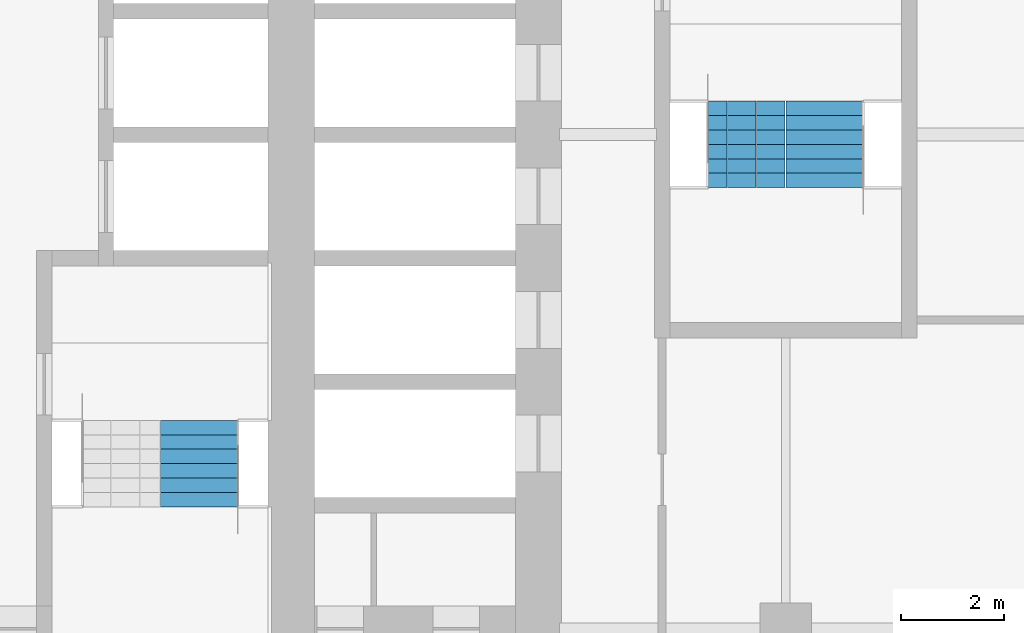
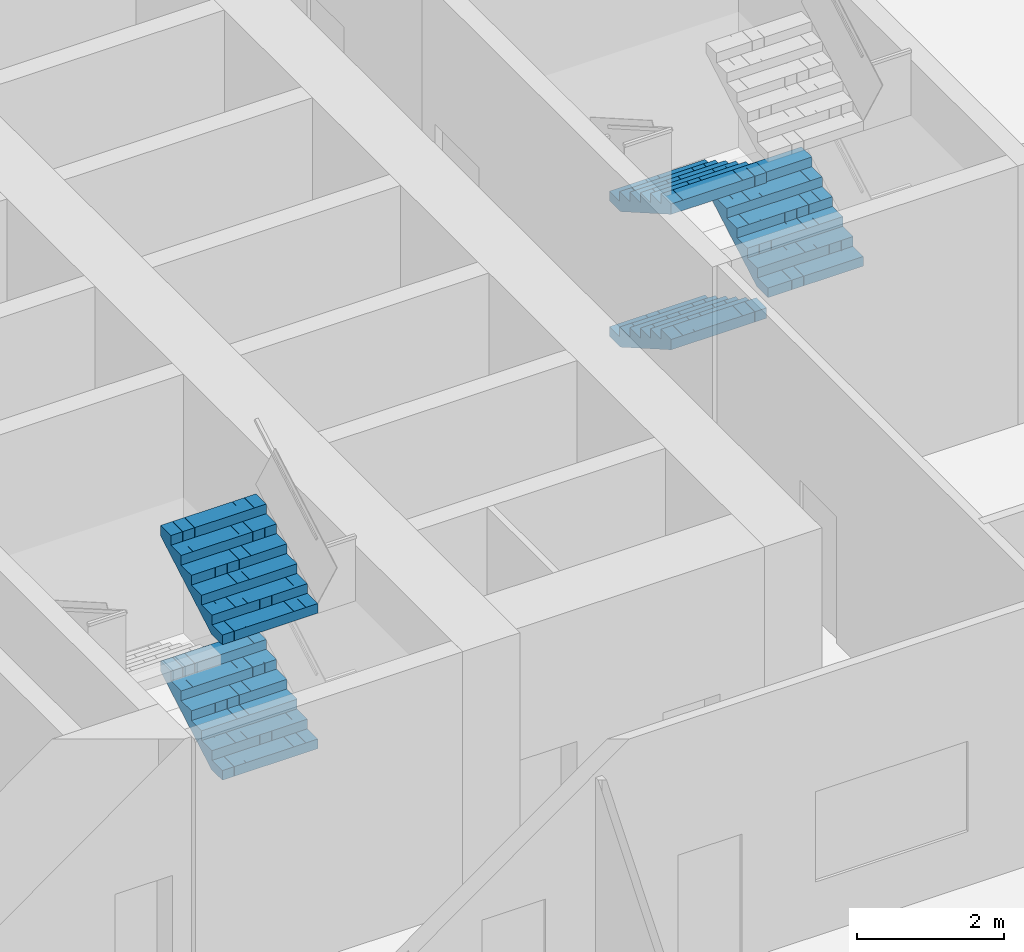
# One storey, part 19 of 22: 5 stair flights, 2 elements without a shape of their own.
"""IFC4 building model written with IfcOpenShell, lengths in metres."""

from ifc_helpers import new_model, si_unit, direction, frame, origin, place, context, subcontext, project, spatial, polyline, outline, extrude, material, type_object, element, aggregate, save


model = new_model("IFC4")

# Units and contexts
model_context = context("Model", 3, precision=1e-05, world=origin(), true_north=direction((0.0, 1.0)))
body_context = subcontext(model_context, "Body", "Model", "MODEL_VIEW")
ifc_project = project(units=[si_unit("LENGTHUNIT", "METRE"), si_unit("AREAUNIT", "SQUARE_METRE"), si_unit("VOLUMEUNIT", "CUBIC_METRE"), si_unit("PLANEANGLEUNIT", "RADIAN"), si_unit("MASSUNIT", "GRAM", prefix="KILO")], contexts=[model_context])

# Site, building, storey
site_placement = place(None, origin())
site = spatial("IfcSite", under=ifc_project, at=site_placement, CompositionType="ELEMENT")
building_placement = place(site_placement, origin())
building = spatial("IfcBuilding", under=site, at=building_placement, Name="Kolab Exchange Tower", CompositionType="ELEMENT")
storey_placement = place(building_placement, frame((0.0, 0.0, 82.39990234375)))
storey = spatial("IfcBuildingStorey", under=building, at=storey_placement, Name="L15", CompositionType="ELEMENT", Elevation=82.39990234375)

# Stair, stair flights
ifc_material = material(Name="Concrete C50/60", Category="concrete")
stair_type_1 = type_object("IfcStairType", Name="STAIR ST2 RISER 160.7", PredefinedType="DOUBLE_RETURN_STAIR", material=ifc_material)
stair_1_placement = place(storey_placement, origin())
stair_1 = element("IfcStair", 1, at=stair_1_placement, inside=storey, type_object=stair_type_1, Name="Stair 2", PredefinedType="DOUBLE_RETURN_STAIR")
stair_flight_type = type_object("IfcStairFlightType", Name="STAIR FLIGHT 1500 RISER 160.7", PredefinedType="STRAIGHT", material=ifc_material)
stair_flight_1_placement = place(storey_placement, frame((7.81005859375, -7.22998046875, 1.125), z_axis=(0.0, 0.0, 1.0), x_axis=(0.0, 1.0, 0.0)))
stair_flight_1 = element("IfcStairFlight", 2, at=stair_flight_1_placement, type_object=stair_flight_type, Name="ST2 flight 2", NumberOfRisers=7, NumberOfTreads=6, PredefinedType="STRAIGHT", RiserHeight=0.160714286, TreadLength=0.28, context=body_context, shape_type="SweptSolid", body=[
    extrude(outline(polyline([(0.0, 0.0), (0.0, 0.16064453125), (0.280029296875, 0.16064453125), (0.280029296875, 0.321533203125), (0.56005859375, 0.321533203125), (0.56005859375, 0.482177734375), (0.840087890625, 0.482177734375), (0.840087890625, 0.642822265625), (1.1201171875, 0.642822265625), (1.1201171875, 0.803466796875), (1.39990234375, 0.803466796875), (1.39990234375, 0.96435546875), (1.679931640625, 0.96435546875), (1.679931640625, 1.125), (1.679931640625, 0.79150390625), (0.301025390625, 0.0), (0.0, 0.0)])), frame((0.0, 0.75, 0.0), z_axis=(0.0, -1.0, 0.0), x_axis=(1.0, 0.0, 0.0)), (0.0, 0.0, 1.0), 0.185791015625),
    extrude(outline(polyline([(0.0, 0.0), (0.0, 0.16064453125), (0.280029296875, 0.16064453125), (0.280029296875, 0.321533203125), (0.56005859375, 0.321533203125), (0.56005859375, 0.482177734375), (0.840087890625, 0.482177734375), (0.840087890625, 0.642822265625), (1.1201171875, 0.642822265625), (1.1201171875, 0.803466796875), (1.39990234375, 0.803466796875), (1.39990234375, 0.96435546875), (1.679931640625, 0.96435546875), (1.679931640625, 1.125), (1.679931640625, 0.79150390625), (0.301025390625, 0.0), (0.0, 0.0)])), frame((0.0, 0.562255859375, 0.0), z_axis=(0.0, -1.0, 0.0), x_axis=(1.0, 0.0, 0.0)), (0.0, 0.0, 1.0), 0.185791015625),
    extrude(outline(polyline([(0.0, 0.0), (0.0, 0.16064453125), (0.280029296875, 0.16064453125), (0.280029296875, 0.321533203125), (0.56005859375, 0.321533203125), (0.56005859375, 0.482177734375), (0.840087890625, 0.482177734375), (0.840087890625, 0.642822265625), (1.1201171875, 0.642822265625), (1.1201171875, 0.803466796875), (1.39990234375, 0.803466796875), (1.39990234375, 0.96435546875), (1.679931640625, 0.96435546875), (1.679931640625, 1.125), (1.679931640625, 0.79150390625), (0.301025390625, 0.0), (0.0, 0.0)])), frame((0.0, 0.37451171875, 0.0), z_axis=(0.0, -1.0, 0.0), x_axis=(1.0, 0.0, 0.0)), (0.0, 0.0, 1.0), 0.185791015625),
    extrude(outline(polyline([(0.0, 0.0), (0.0, 0.16064453125), (0.280029296875, 0.16064453125), (0.280029296875, 0.321533203125), (0.56005859375, 0.321533203125), (0.56005859375, 0.482177734375), (0.840087890625, 0.482177734375), (0.840087890625, 0.642822265625), (1.1201171875, 0.642822265625), (1.1201171875, 0.803466796875), (1.39990234375, 0.803466796875), (1.39990234375, 0.96435546875), (1.679931640625, 0.96435546875), (1.679931640625, 1.125), (1.679931640625, 0.79150390625), (0.301025390625, 0.0), (0.0, 0.0)])), frame((0.0, 0.186767578125, 0.0), z_axis=(0.0, -1.0, 0.0), x_axis=(1.0, 0.0, 0.0)), (0.0, 0.0, 1.0), 0.185791015625),
    extrude(outline(polyline([(0.0, 0.0), (0.0, 0.16064453125), (0.280029296875, 0.16064453125), (0.280029296875, 0.321533203125), (0.56005859375, 0.321533203125), (0.56005859375, 0.482177734375), (0.840087890625, 0.482177734375), (0.840087890625, 0.642822265625), (1.1201171875, 0.642822265625), (1.1201171875, 0.803466796875), (1.39990234375, 0.803466796875), (1.39990234375, 0.96435546875), (1.679931640625, 0.96435546875), (1.679931640625, 1.125), (1.679931640625, 0.79150390625), (0.301025390625, 0.0), (0.0, 0.0)])), frame((0.0, -0.0009765625, 0.0), z_axis=(0.0, -1.0, 0.0), x_axis=(1.0, 0.0, 0.0)), (0.0, 0.0, 1.0), 0.185791015625),
    extrude(outline(polyline([(0.0, 0.0), (0.0, 0.16064453125), (0.280029296875, 0.16064453125), (0.280029296875, 0.321533203125), (0.56005859375, 0.321533203125), (0.56005859375, 0.482177734375), (0.840087890625, 0.482177734375), (0.840087890625, 0.642822265625), (1.1201171875, 0.642822265625), (1.1201171875, 0.803466796875), (1.39990234375, 0.803466796875), (1.39990234375, 0.96435546875), (1.679931640625, 0.96435546875), (1.679931640625, 1.125), (1.679931640625, 0.79150390625), (0.301025390625, 0.0), (0.0, 0.0)])), frame((0.0, -0.188720703125, 0.0), z_axis=(0.0, -1.0, 0.0), x_axis=(1.0, 0.0, 0.0)), (0.0, 0.0, 1.0), 0.185791015625),
    extrude(outline(polyline([(0.0, 0.0), (0.0, 0.16064453125), (0.280029296875, 0.16064453125), (0.280029296875, 0.321533203125), (0.56005859375, 0.321533203125), (0.56005859375, 0.482177734375), (0.840087890625, 0.482177734375), (0.840087890625, 0.642822265625), (1.1201171875, 0.642822265625), (1.1201171875, 0.803466796875), (1.39990234375, 0.803466796875), (1.39990234375, 0.96435546875), (1.679931640625, 0.96435546875), (1.679931640625, 1.125), (1.679931640625, 0.79150390625), (0.301025390625, 0.0), (0.0, 0.0)])), frame((0.0, -0.37646484375, 0.0), z_axis=(0.0, -1.0, 0.0), x_axis=(1.0, 0.0, 0.0)), (0.0, 0.0, 1.0), 0.185791015625),
    extrude(outline(polyline([(0.0, 0.0), (0.0, 0.16064453125), (0.280029296875, 0.16064453125), (0.280029296875, 0.321533203125), (0.56005859375, 0.321533203125), (0.56005859375, 0.482177734375), (0.840087890625, 0.482177734375), (0.840087890625, 0.642822265625), (1.1201171875, 0.642822265625), (1.1201171875, 0.803466796875), (1.39990234375, 0.803466796875), (1.39990234375, 0.96435546875), (1.679931640625, 0.96435546875), (1.679931640625, 1.125), (1.679931640625, 0.79150390625), (0.301025390625, 0.0), (0.0, 0.0)])), frame((0.0, -0.564208984375, 0.0), z_axis=(0.0, -1.0, 0.0), x_axis=(1.0, 0.0, 0.0)), (0.0, 0.0, 1.0), 0.185791015625),
])
stair_flight_2_placement = place(storey_placement, frame((7.81005859375, -7.22998046875, 3.375), z_axis=(0.0, 0.0, 1.0), x_axis=(0.0, 1.0, 0.0)))
stair_flight_2 = element("IfcStairFlight", 3, at=stair_flight_2_placement, type_object=stair_flight_type, Name="ST2 flight 4", NumberOfRisers=7, NumberOfTreads=6, PredefinedType="STRAIGHT", RiserHeight=0.160714286, TreadLength=0.28, context=body_context, shape_type="SweptSolid", body=[
    extrude(outline(polyline([(0.0, 0.0), (0.0, 0.16064453125), (0.280029296875, 0.16064453125), (0.280029296875, 0.321533203125), (0.56005859375, 0.321533203125), (0.56005859375, 0.482177734375), (0.840087890625, 0.482177734375), (0.840087890625, 0.642822265625), (1.1201171875, 0.642822265625), (1.1201171875, 0.803466796875), (1.39990234375, 0.803466796875), (1.39990234375, 0.96435546875), (1.679931640625, 0.96435546875), (1.679931640625, 1.125), (1.679931640625, 0.79150390625), (0.301025390625, 0.0), (0.0, 0.0)])), frame((0.0, 0.75, 0.0), z_axis=(0.0, -1.0, 0.0), x_axis=(1.0, 0.0, 0.0)), (0.0, 0.0, 1.0), 0.185791015625),
    extrude(outline(polyline([(0.0, 0.0), (0.0, 0.16064453125), (0.280029296875, 0.16064453125), (0.280029296875, 0.321533203125), (0.56005859375, 0.321533203125), (0.56005859375, 0.482177734375), (0.840087890625, 0.482177734375), (0.840087890625, 0.642822265625), (1.1201171875, 0.642822265625), (1.1201171875, 0.803466796875), (1.39990234375, 0.803466796875), (1.39990234375, 0.96435546875), (1.679931640625, 0.96435546875), (1.679931640625, 1.125), (1.679931640625, 0.79150390625), (0.301025390625, 0.0), (0.0, 0.0)])), frame((0.0, 0.562255859375, 0.0), z_axis=(0.0, -1.0, 0.0), x_axis=(1.0, 0.0, 0.0)), (0.0, 0.0, 1.0), 0.185791015625),
    extrude(outline(polyline([(0.0, 0.0), (0.0, 0.16064453125), (0.280029296875, 0.16064453125), (0.280029296875, 0.321533203125), (0.56005859375, 0.321533203125), (0.56005859375, 0.482177734375), (0.840087890625, 0.482177734375), (0.840087890625, 0.642822265625), (1.1201171875, 0.642822265625), (1.1201171875, 0.803466796875), (1.39990234375, 0.803466796875), (1.39990234375, 0.96435546875), (1.679931640625, 0.96435546875), (1.679931640625, 1.125), (1.679931640625, 0.79150390625), (0.301025390625, 0.0), (0.0, 0.0)])), frame((0.0, 0.37451171875, 0.0), z_axis=(0.0, -1.0, 0.0), x_axis=(1.0, 0.0, 0.0)), (0.0, 0.0, 1.0), 0.185791015625),
    extrude(outline(polyline([(0.0, 0.0), (0.0, 0.16064453125), (0.280029296875, 0.16064453125), (0.280029296875, 0.321533203125), (0.56005859375, 0.321533203125), (0.56005859375, 0.482177734375), (0.840087890625, 0.482177734375), (0.840087890625, 0.642822265625), (1.1201171875, 0.642822265625), (1.1201171875, 0.803466796875), (1.39990234375, 0.803466796875), (1.39990234375, 0.96435546875), (1.679931640625, 0.96435546875), (1.679931640625, 1.125), (1.679931640625, 0.79150390625), (0.301025390625, 0.0), (0.0, 0.0)])), frame((0.0, 0.186767578125, 0.0), z_axis=(0.0, -1.0, 0.0), x_axis=(1.0, 0.0, 0.0)), (0.0, 0.0, 1.0), 0.185791015625),
    extrude(outline(polyline([(0.0, 0.0), (0.0, 0.16064453125), (0.280029296875, 0.16064453125), (0.280029296875, 0.321533203125), (0.56005859375, 0.321533203125), (0.56005859375, 0.482177734375), (0.840087890625, 0.482177734375), (0.840087890625, 0.642822265625), (1.1201171875, 0.642822265625), (1.1201171875, 0.803466796875), (1.39990234375, 0.803466796875), (1.39990234375, 0.96435546875), (1.679931640625, 0.96435546875), (1.679931640625, 1.125), (1.679931640625, 0.79150390625), (0.301025390625, 0.0), (0.0, 0.0)])), frame((0.0, -0.0009765625, 0.0), z_axis=(0.0, -1.0, 0.0), x_axis=(1.0, 0.0, 0.0)), (0.0, 0.0, 1.0), 0.185791015625),
    extrude(outline(polyline([(0.0, 0.0), (0.0, 0.16064453125), (0.280029296875, 0.16064453125), (0.280029296875, 0.321533203125), (0.56005859375, 0.321533203125), (0.56005859375, 0.482177734375), (0.840087890625, 0.482177734375), (0.840087890625, 0.642822265625), (1.1201171875, 0.642822265625), (1.1201171875, 0.803466796875), (1.39990234375, 0.803466796875), (1.39990234375, 0.96435546875), (1.679931640625, 0.96435546875), (1.679931640625, 1.125), (1.679931640625, 0.79150390625), (0.301025390625, 0.0), (0.0, 0.0)])), frame((0.0, -0.188720703125, 0.0), z_axis=(0.0, -1.0, 0.0), x_axis=(1.0, 0.0, 0.0)), (0.0, 0.0, 1.0), 0.185791015625),
    extrude(outline(polyline([(0.0, 0.0), (0.0, 0.16064453125), (0.280029296875, 0.16064453125), (0.280029296875, 0.321533203125), (0.56005859375, 0.321533203125), (0.56005859375, 0.482177734375), (0.840087890625, 0.482177734375), (0.840087890625, 0.642822265625), (1.1201171875, 0.642822265625), (1.1201171875, 0.803466796875), (1.39990234375, 0.803466796875), (1.39990234375, 0.96435546875), (1.679931640625, 0.96435546875), (1.679931640625, 1.125), (1.679931640625, 0.79150390625), (0.301025390625, 0.0), (0.0, 0.0)])), frame((0.0, -0.37646484375, 0.0), z_axis=(0.0, -1.0, 0.0), x_axis=(1.0, 0.0, 0.0)), (0.0, 0.0, 1.0), 0.185791015625),
    extrude(outline(polyline([(0.0, 0.0), (0.0, 0.16064453125), (0.280029296875, 0.16064453125), (0.280029296875, 0.321533203125), (0.56005859375, 0.321533203125), (0.56005859375, 0.482177734375), (0.840087890625, 0.482177734375), (0.840087890625, 0.642822265625), (1.1201171875, 0.642822265625), (1.1201171875, 0.803466796875), (1.39990234375, 0.803466796875), (1.39990234375, 0.96435546875), (1.679931640625, 0.96435546875), (1.679931640625, 1.125), (1.679931640625, 0.79150390625), (0.301025390625, 0.0), (0.0, 0.0)])), frame((0.0, -0.564208984375, 0.0), z_axis=(0.0, -1.0, 0.0), x_axis=(1.0, 0.0, 0.0)), (0.0, 0.0, 1.0), 0.185791015625),
])
aggregate(stair_1, [stair_flight_1, stair_flight_2])

stair_type_2 = type_object("IfcStairType", Name="STAIR ST4 RISER 160.7", PredefinedType="DOUBLE_RETURN_STAIR", material=ifc_material)
stair_2_placement = place(storey_placement, origin())
stair_2 = element("IfcStair", 4, at=stair_2_placement, inside=storey, type_object=stair_type_2, Name="Stair 4", PredefinedType="DOUBLE_RETURN_STAIR")
stair_flight_3_placement = place(storey_placement, frame((18.43994140625, 0.64990234375, 0.0), z_axis=(0.0, 0.0, 1.0), x_axis=(0.0, -1.0, 0.0)))
stair_flight_3 = element("IfcStairFlight", 5, at=stair_flight_3_placement, type_object=stair_flight_type, Name="ST4 flight 1", NumberOfRisers=7, NumberOfTreads=6, PredefinedType="STRAIGHT", RiserHeight=0.160714286, TreadLength=0.28, context=body_context, shape_type="SweptSolid", body=[
    extrude(outline(polyline([(0.0, 0.0), (0.0, 0.16064453125), (0.280029296875, 0.16064453125), (0.280029296875, 0.321533203125), (0.56005859375, 0.321533203125), (0.56005859375, 0.482177734375), (0.840087890625, 0.482177734375), (0.840087890625, 0.642822265625), (1.1201171875, 0.642822265625), (1.1201171875, 0.803466796875), (1.39990234375, 0.803466796875), (1.39990234375, 0.96435546875), (1.679931640625, 0.96435546875), (1.679931640625, 1.125), (1.679931640625, 0.79150390625), (0.301025390625, 0.0), (0.0, 0.0)])), frame((0.0, 0.75, 0.0), z_axis=(0.0, -1.0, 0.0), x_axis=(1.0, 0.0, 0.0)), (0.0, 0.0, 1.0), 0.185791015625),
    extrude(outline(polyline([(0.0, 0.0), (0.0, 0.16064453125), (0.280029296875, 0.16064453125), (0.280029296875, 0.321533203125), (0.56005859375, 0.321533203125), (0.56005859375, 0.482177734375), (0.840087890625, 0.482177734375), (0.840087890625, 0.642822265625), (1.1201171875, 0.642822265625), (1.1201171875, 0.803466796875), (1.39990234375, 0.803466796875), (1.39990234375, 0.96435546875), (1.679931640625, 0.96435546875), (1.679931640625, 1.125), (1.679931640625, 0.79150390625), (0.301025390625, 0.0), (0.0, 0.0)])), frame((0.0, 0.562255859375, 0.0), z_axis=(0.0, -1.0, 0.0), x_axis=(1.0, 0.0, 0.0)), (0.0, 0.0, 1.0), 0.185791015625),
    extrude(outline(polyline([(0.0, 0.0), (0.0, 0.16064453125), (0.280029296875, 0.16064453125), (0.280029296875, 0.321533203125), (0.56005859375, 0.321533203125), (0.56005859375, 0.482177734375), (0.840087890625, 0.482177734375), (0.840087890625, 0.642822265625), (1.1201171875, 0.642822265625), (1.1201171875, 0.803466796875), (1.39990234375, 0.803466796875), (1.39990234375, 0.96435546875), (1.679931640625, 0.96435546875), (1.679931640625, 1.125), (1.679931640625, 0.79150390625), (0.301025390625, 0.0), (0.0, 0.0)])), frame((0.0, 0.37451171875, 0.0), z_axis=(0.0, -1.0, 0.0), x_axis=(1.0, 0.0, 0.0)), (0.0, 0.0, 1.0), 0.185791015625),
    extrude(outline(polyline([(0.0, 0.0), (0.0, 0.16064453125), (0.280029296875, 0.16064453125), (0.280029296875, 0.321533203125), (0.56005859375, 0.321533203125), (0.56005859375, 0.482177734375), (0.840087890625, 0.482177734375), (0.840087890625, 0.642822265625), (1.1201171875, 0.642822265625), (1.1201171875, 0.803466796875), (1.39990234375, 0.803466796875), (1.39990234375, 0.96435546875), (1.679931640625, 0.96435546875), (1.679931640625, 1.125), (1.679931640625, 0.79150390625), (0.301025390625, 0.0), (0.0, 0.0)])), frame((0.0, 0.186767578125, 0.0), z_axis=(0.0, -1.0, 0.0), x_axis=(1.0, 0.0, 0.0)), (0.0, 0.0, 1.0), 0.185791015625),
    extrude(outline(polyline([(0.0, 0.0), (0.0, 0.16064453125), (0.280029296875, 0.16064453125), (0.280029296875, 0.321533203125), (0.56005859375, 0.321533203125), (0.56005859375, 0.482177734375), (0.840087890625, 0.482177734375), (0.840087890625, 0.642822265625), (1.1201171875, 0.642822265625), (1.1201171875, 0.803466796875), (1.39990234375, 0.803466796875), (1.39990234375, 0.96435546875), (1.679931640625, 0.96435546875), (1.679931640625, 1.125), (1.679931640625, 0.79150390625), (0.301025390625, 0.0), (0.0, 0.0)])), frame((0.0, -0.0009765625, 0.0), z_axis=(0.0, -1.0, 0.0), x_axis=(1.0, 0.0, 0.0)), (0.0, 0.0, 1.0), 0.185791015625),
    extrude(outline(polyline([(0.0, 0.0), (0.0, 0.16064453125), (0.280029296875, 0.16064453125), (0.280029296875, 0.321533203125), (0.56005859375, 0.321533203125), (0.56005859375, 0.482177734375), (0.840087890625, 0.482177734375), (0.840087890625, 0.642822265625), (1.1201171875, 0.642822265625), (1.1201171875, 0.803466796875), (1.39990234375, 0.803466796875), (1.39990234375, 0.96435546875), (1.679931640625, 0.96435546875), (1.679931640625, 1.125), (1.679931640625, 0.79150390625), (0.301025390625, 0.0), (0.0, 0.0)])), frame((0.0, -0.188720703125, 0.0), z_axis=(0.0, -1.0, 0.0), x_axis=(1.0, 0.0, 0.0)), (0.0, 0.0, 1.0), 0.185791015625),
    extrude(outline(polyline([(0.0, 0.0), (0.0, 0.16064453125), (0.280029296875, 0.16064453125), (0.280029296875, 0.321533203125), (0.56005859375, 0.321533203125), (0.56005859375, 0.482177734375), (0.840087890625, 0.482177734375), (0.840087890625, 0.642822265625), (1.1201171875, 0.642822265625), (1.1201171875, 0.803466796875), (1.39990234375, 0.803466796875), (1.39990234375, 0.96435546875), (1.679931640625, 0.96435546875), (1.679931640625, 1.125), (1.679931640625, 0.79150390625), (0.301025390625, 0.0), (0.0, 0.0)])), frame((0.0, -0.37646484375, 0.0), z_axis=(0.0, -1.0, 0.0), x_axis=(1.0, 0.0, 0.0)), (0.0, 0.0, 1.0), 0.185791015625),
    extrude(outline(polyline([(0.0, 0.0), (0.0, 0.16064453125), (0.280029296875, 0.16064453125), (0.280029296875, 0.321533203125), (0.56005859375, 0.321533203125), (0.56005859375, 0.482177734375), (0.840087890625, 0.482177734375), (0.840087890625, 0.642822265625), (1.1201171875, 0.642822265625), (1.1201171875, 0.803466796875), (1.39990234375, 0.803466796875), (1.39990234375, 0.96435546875), (1.679931640625, 0.96435546875), (1.679931640625, 1.125), (1.679931640625, 0.79150390625), (0.301025390625, 0.0), (0.0, 0.0)])), frame((0.0, -0.564208984375, 0.0), z_axis=(0.0, -1.0, 0.0), x_axis=(1.0, 0.0, 0.0)), (0.0, 0.0, 1.0), 0.185791015625),
])
stair_flight_4_placement = place(storey_placement, frame((19.9599609375, -1.030029296875, 1.125), z_axis=(0.0, 0.0, 1.0), x_axis=(0.0, 1.0, 0.0)))
stair_flight_4 = element("IfcStairFlight", 6, at=stair_flight_4_placement, type_object=stair_flight_type, Name="ST4 flight 2", NumberOfRisers=7, NumberOfTreads=6, PredefinedType="STRAIGHT", RiserHeight=0.160714286, TreadLength=0.28, context=body_context, shape_type="SweptSolid", body=[
    extrude(outline(polyline([(0.0, 0.0), (0.0, 0.16064453125), (0.280029296875, 0.16064453125), (0.280029296875, 0.321533203125), (0.56005859375, 0.321533203125), (0.56005859375, 0.482177734375), (0.840087890625, 0.482177734375), (0.840087890625, 0.642822265625), (1.1201171875, 0.642822265625), (1.1201171875, 0.803466796875), (1.39990234375, 0.803466796875), (1.39990234375, 0.96435546875), (1.679931640625, 0.96435546875), (1.679931640625, 1.125), (1.679931640625, 0.79150390625), (0.301025390625, 0.0), (0.0, 0.0)])), frame((0.0, 0.75, 0.0), z_axis=(0.0, -1.0, 0.0), x_axis=(1.0, 0.0, 0.0)), (0.0, 0.0, 1.0), 0.185791015625),
    extrude(outline(polyline([(0.0, 0.0), (0.0, 0.16064453125), (0.280029296875, 0.16064453125), (0.280029296875, 0.321533203125), (0.56005859375, 0.321533203125), (0.56005859375, 0.482177734375), (0.840087890625, 0.482177734375), (0.840087890625, 0.642822265625), (1.1201171875, 0.642822265625), (1.1201171875, 0.803466796875), (1.39990234375, 0.803466796875), (1.39990234375, 0.96435546875), (1.679931640625, 0.96435546875), (1.679931640625, 1.125), (1.679931640625, 0.79150390625), (0.301025390625, 0.0), (0.0, 0.0)])), frame((0.0, 0.562255859375, 0.0), z_axis=(0.0, -1.0, 0.0), x_axis=(1.0, 0.0, 0.0)), (0.0, 0.0, 1.0), 0.185791015625),
    extrude(outline(polyline([(0.0, 0.0), (0.0, 0.16064453125), (0.280029296875, 0.16064453125), (0.280029296875, 0.321533203125), (0.56005859375, 0.321533203125), (0.56005859375, 0.482177734375), (0.840087890625, 0.482177734375), (0.840087890625, 0.642822265625), (1.1201171875, 0.642822265625), (1.1201171875, 0.803466796875), (1.39990234375, 0.803466796875), (1.39990234375, 0.96435546875), (1.679931640625, 0.96435546875), (1.679931640625, 1.125), (1.679931640625, 0.79150390625), (0.301025390625, 0.0), (0.0, 0.0)])), frame((0.0, 0.37451171875, 0.0), z_axis=(0.0, -1.0, 0.0), x_axis=(1.0, 0.0, 0.0)), (0.0, 0.0, 1.0), 0.185791015625),
    extrude(outline(polyline([(0.0, 0.0), (0.0, 0.16064453125), (0.280029296875, 0.16064453125), (0.280029296875, 0.321533203125), (0.56005859375, 0.321533203125), (0.56005859375, 0.482177734375), (0.840087890625, 0.482177734375), (0.840087890625, 0.642822265625), (1.1201171875, 0.642822265625), (1.1201171875, 0.803466796875), (1.39990234375, 0.803466796875), (1.39990234375, 0.96435546875), (1.679931640625, 0.96435546875), (1.679931640625, 1.125), (1.679931640625, 0.79150390625), (0.301025390625, 0.0), (0.0, 0.0)])), frame((0.0, 0.186767578125, 0.0), z_axis=(0.0, -1.0, 0.0), x_axis=(1.0, 0.0, 0.0)), (0.0, 0.0, 1.0), 0.185791015625),
    extrude(outline(polyline([(0.0, 0.0), (0.0, 0.16064453125), (0.280029296875, 0.16064453125), (0.280029296875, 0.321533203125), (0.56005859375, 0.321533203125), (0.56005859375, 0.482177734375), (0.840087890625, 0.482177734375), (0.840087890625, 0.642822265625), (1.1201171875, 0.642822265625), (1.1201171875, 0.803466796875), (1.39990234375, 0.803466796875), (1.39990234375, 0.96435546875), (1.679931640625, 0.96435546875), (1.679931640625, 1.125), (1.679931640625, 0.79150390625), (0.301025390625, 0.0), (0.0, 0.0)])), frame((0.0, -0.0009765625, 0.0), z_axis=(0.0, -1.0, 0.0), x_axis=(1.0, 0.0, 0.0)), (0.0, 0.0, 1.0), 0.185791015625),
    extrude(outline(polyline([(0.0, 0.0), (0.0, 0.16064453125), (0.280029296875, 0.16064453125), (0.280029296875, 0.321533203125), (0.56005859375, 0.321533203125), (0.56005859375, 0.482177734375), (0.840087890625, 0.482177734375), (0.840087890625, 0.642822265625), (1.1201171875, 0.642822265625), (1.1201171875, 0.803466796875), (1.39990234375, 0.803466796875), (1.39990234375, 0.96435546875), (1.679931640625, 0.96435546875), (1.679931640625, 1.125), (1.679931640625, 0.79150390625), (0.301025390625, 0.0), (0.0, 0.0)])), frame((0.0, -0.188720703125, 0.0), z_axis=(0.0, -1.0, 0.0), x_axis=(1.0, 0.0, 0.0)), (0.0, 0.0, 1.0), 0.185791015625),
    extrude(outline(polyline([(0.0, 0.0), (0.0, 0.16064453125), (0.280029296875, 0.16064453125), (0.280029296875, 0.321533203125), (0.56005859375, 0.321533203125), (0.56005859375, 0.482177734375), (0.840087890625, 0.482177734375), (0.840087890625, 0.642822265625), (1.1201171875, 0.642822265625), (1.1201171875, 0.803466796875), (1.39990234375, 0.803466796875), (1.39990234375, 0.96435546875), (1.679931640625, 0.96435546875), (1.679931640625, 1.125), (1.679931640625, 0.79150390625), (0.301025390625, 0.0), (0.0, 0.0)])), frame((0.0, -0.37646484375, 0.0), z_axis=(0.0, -1.0, 0.0), x_axis=(1.0, 0.0, 0.0)), (0.0, 0.0, 1.0), 0.185791015625),
    extrude(outline(polyline([(0.0, 0.0), (0.0, 0.16064453125), (0.280029296875, 0.16064453125), (0.280029296875, 0.321533203125), (0.56005859375, 0.321533203125), (0.56005859375, 0.482177734375), (0.840087890625, 0.482177734375), (0.840087890625, 0.642822265625), (1.1201171875, 0.642822265625), (1.1201171875, 0.803466796875), (1.39990234375, 0.803466796875), (1.39990234375, 0.96435546875), (1.679931640625, 0.96435546875), (1.679931640625, 1.125), (1.679931640625, 0.79150390625), (0.301025390625, 0.0), (0.0, 0.0)])), frame((0.0, -0.564208984375, 0.0), z_axis=(0.0, -1.0, 0.0), x_axis=(1.0, 0.0, 0.0)), (0.0, 0.0, 1.0), 0.185791015625),
])
stair_flight_5_placement = place(storey_placement, frame((18.43994140625, 0.64990234375, 2.25), z_axis=(0.0, 0.0, 1.0), x_axis=(0.0, -1.0, 0.0)))
stair_flight_5 = element("IfcStairFlight", 7, at=stair_flight_5_placement, type_object=stair_flight_type, Name="ST4 flight 3", NumberOfRisers=7, NumberOfTreads=6, PredefinedType="STRAIGHT", RiserHeight=0.160714286, TreadLength=0.28, context=body_context, shape_type="SweptSolid", body=[
    extrude(outline(polyline([(0.0, 0.0), (0.0, 0.16064453125), (0.280029296875, 0.16064453125), (0.280029296875, 0.321533203125), (0.56005859375, 0.321533203125), (0.56005859375, 0.482177734375), (0.840087890625, 0.482177734375), (0.840087890625, 0.642822265625), (1.1201171875, 0.642822265625), (1.1201171875, 0.803466796875), (1.39990234375, 0.803466796875), (1.39990234375, 0.96435546875), (1.679931640625, 0.96435546875), (1.679931640625, 1.125), (1.679931640625, 0.79150390625), (0.301025390625, 0.0), (0.0, 0.0)])), frame((0.0, 0.75, 0.0), z_axis=(0.0, -1.0, 0.0), x_axis=(1.0, 0.0, 0.0)), (0.0, 0.0, 1.0), 0.185791015625),
    extrude(outline(polyline([(0.0, 0.0), (0.0, 0.16064453125), (0.280029296875, 0.16064453125), (0.280029296875, 0.321533203125), (0.56005859375, 0.321533203125), (0.56005859375, 0.482177734375), (0.840087890625, 0.482177734375), (0.840087890625, 0.642822265625), (1.1201171875, 0.642822265625), (1.1201171875, 0.803466796875), (1.39990234375, 0.803466796875), (1.39990234375, 0.96435546875), (1.679931640625, 0.96435546875), (1.679931640625, 1.125), (1.679931640625, 0.79150390625), (0.301025390625, 0.0), (0.0, 0.0)])), frame((0.0, 0.562255859375, 0.0), z_axis=(0.0, -1.0, 0.0), x_axis=(1.0, 0.0, 0.0)), (0.0, 0.0, 1.0), 0.185791015625),
    extrude(outline(polyline([(0.0, 0.0), (0.0, 0.16064453125), (0.280029296875, 0.16064453125), (0.280029296875, 0.321533203125), (0.56005859375, 0.321533203125), (0.56005859375, 0.482177734375), (0.840087890625, 0.482177734375), (0.840087890625, 0.642822265625), (1.1201171875, 0.642822265625), (1.1201171875, 0.803466796875), (1.39990234375, 0.803466796875), (1.39990234375, 0.96435546875), (1.679931640625, 0.96435546875), (1.679931640625, 1.125), (1.679931640625, 0.79150390625), (0.301025390625, 0.0), (0.0, 0.0)])), frame((0.0, 0.37451171875, 0.0), z_axis=(0.0, -1.0, 0.0), x_axis=(1.0, 0.0, 0.0)), (0.0, 0.0, 1.0), 0.185791015625),
    extrude(outline(polyline([(0.0, 0.0), (0.0, 0.16064453125), (0.280029296875, 0.16064453125), (0.280029296875, 0.321533203125), (0.56005859375, 0.321533203125), (0.56005859375, 0.482177734375), (0.840087890625, 0.482177734375), (0.840087890625, 0.642822265625), (1.1201171875, 0.642822265625), (1.1201171875, 0.803466796875), (1.39990234375, 0.803466796875), (1.39990234375, 0.96435546875), (1.679931640625, 0.96435546875), (1.679931640625, 1.125), (1.679931640625, 0.79150390625), (0.301025390625, 0.0), (0.0, 0.0)])), frame((0.0, 0.186767578125, 0.0), z_axis=(0.0, -1.0, 0.0), x_axis=(1.0, 0.0, 0.0)), (0.0, 0.0, 1.0), 0.185791015625),
    extrude(outline(polyline([(0.0, 0.0), (0.0, 0.16064453125), (0.280029296875, 0.16064453125), (0.280029296875, 0.321533203125), (0.56005859375, 0.321533203125), (0.56005859375, 0.482177734375), (0.840087890625, 0.482177734375), (0.840087890625, 0.642822265625), (1.1201171875, 0.642822265625), (1.1201171875, 0.803466796875), (1.39990234375, 0.803466796875), (1.39990234375, 0.96435546875), (1.679931640625, 0.96435546875), (1.679931640625, 1.125), (1.679931640625, 0.79150390625), (0.301025390625, 0.0), (0.0, 0.0)])), frame((0.0, -0.0009765625, 0.0), z_axis=(0.0, -1.0, 0.0), x_axis=(1.0, 0.0, 0.0)), (0.0, 0.0, 1.0), 0.185791015625),
    extrude(outline(polyline([(0.0, 0.0), (0.0, 0.16064453125), (0.280029296875, 0.16064453125), (0.280029296875, 0.321533203125), (0.56005859375, 0.321533203125), (0.56005859375, 0.482177734375), (0.840087890625, 0.482177734375), (0.840087890625, 0.642822265625), (1.1201171875, 0.642822265625), (1.1201171875, 0.803466796875), (1.39990234375, 0.803466796875), (1.39990234375, 0.96435546875), (1.679931640625, 0.96435546875), (1.679931640625, 1.125), (1.679931640625, 0.79150390625), (0.301025390625, 0.0), (0.0, 0.0)])), frame((0.0, -0.188720703125, 0.0), z_axis=(0.0, -1.0, 0.0), x_axis=(1.0, 0.0, 0.0)), (0.0, 0.0, 1.0), 0.185791015625),
    extrude(outline(polyline([(0.0, 0.0), (0.0, 0.16064453125), (0.280029296875, 0.16064453125), (0.280029296875, 0.321533203125), (0.56005859375, 0.321533203125), (0.56005859375, 0.482177734375), (0.840087890625, 0.482177734375), (0.840087890625, 0.642822265625), (1.1201171875, 0.642822265625), (1.1201171875, 0.803466796875), (1.39990234375, 0.803466796875), (1.39990234375, 0.96435546875), (1.679931640625, 0.96435546875), (1.679931640625, 1.125), (1.679931640625, 0.79150390625), (0.301025390625, 0.0), (0.0, 0.0)])), frame((0.0, -0.37646484375, 0.0), z_axis=(0.0, -1.0, 0.0), x_axis=(1.0, 0.0, 0.0)), (0.0, 0.0, 1.0), 0.185791015625),
    extrude(outline(polyline([(0.0, 0.0), (0.0, 0.16064453125), (0.280029296875, 0.16064453125), (0.280029296875, 0.321533203125), (0.56005859375, 0.321533203125), (0.56005859375, 0.482177734375), (0.840087890625, 0.482177734375), (0.840087890625, 0.642822265625), (1.1201171875, 0.642822265625), (1.1201171875, 0.803466796875), (1.39990234375, 0.803466796875), (1.39990234375, 0.96435546875), (1.679931640625, 0.96435546875), (1.679931640625, 1.125), (1.679931640625, 0.79150390625), (0.301025390625, 0.0), (0.0, 0.0)])), frame((0.0, -0.564208984375, 0.0), z_axis=(0.0, -1.0, 0.0), x_axis=(1.0, 0.0, 0.0)), (0.0, 0.0, 1.0), 0.185791015625),
])
aggregate(stair_2, [stair_flight_3, stair_flight_4, stair_flight_5])

save(model, "model.ifc")
